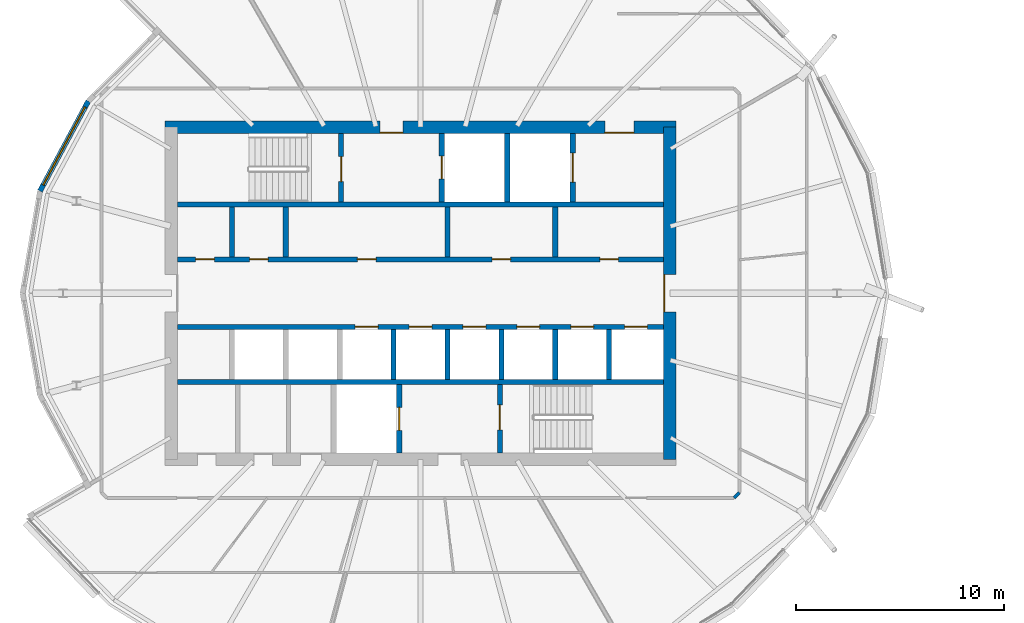
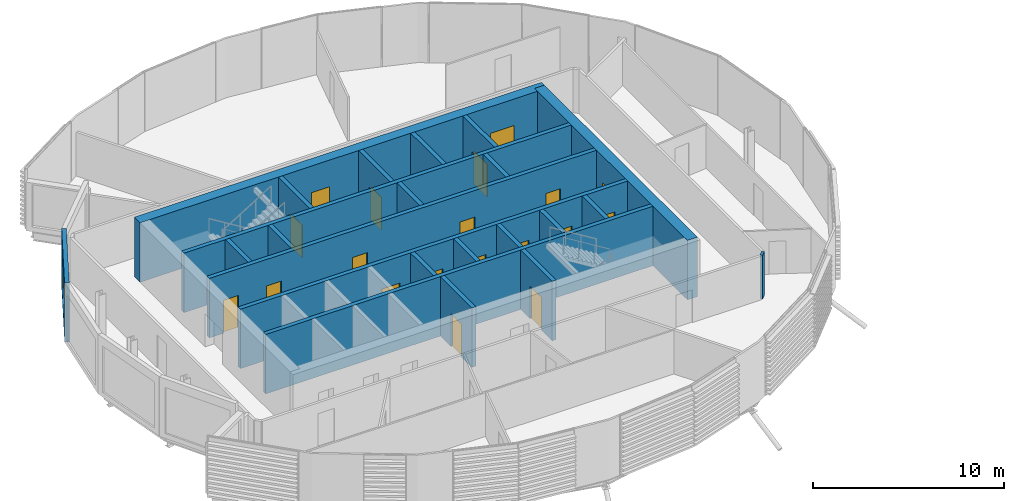
# One storey, part 20 of 37: 23 walls, 19 doors, 1 window, 20 openings.
"""IFC4 building model written with IfcOpenShell, lengths in metres."""

from ifc_helpers import new_model, si_unit, direction, frame, frame_2d, origin, place, context, subcontext, project, spatial, rectangle, extrude, material, layer, layer_set, type_object, element, fill, save


model = new_model("IFC4")

# Units and contexts
model_context = context("Model", 3, precision=1e-05, world=origin(), true_north=direction((0.0, 1.0)))
body_context = subcontext(model_context, "Body", "Model", "MODEL_VIEW")
ifc_project = project(units=[si_unit("LENGTHUNIT", "METRE"), si_unit("AREAUNIT", "SQUARE_METRE"), si_unit("VOLUMEUNIT", "CUBIC_METRE"), si_unit("PLANEANGLEUNIT", "RADIAN"), si_unit("MASSUNIT", "GRAM", prefix="KILO")], contexts=[model_context])

# Site, building, storey
site_placement = place(None, origin())
site = spatial("IfcSite", under=ifc_project, at=site_placement, CompositionType="ELEMENT")
building_placement = place(site_placement, origin())
building = spatial("IfcBuilding", under=site, at=building_placement, Name="Rimbun Link Towers", CompositionType="ELEMENT")
storey_placement = place(building_placement, frame((0.0, 0.0, 162.699951171875)))
storey = spatial("IfcBuildingStorey", under=building, at=storey_placement, Name="L39", CompositionType="ELEMENT", Elevation=162.699951171875)

# Wall, opening, window
ifc_material_1 = material(Name="Dark enamelled glass spandrel on insulated aluminium backpan", Category="aluminium")
ifc_layer_1 = layer(ifc_material_1, 0.25)
ifc_layer_set_1 = layer_set([ifc_layer_1], Name="CS dark enamelled spandrel wall 250")
wall_type_1 = type_object("IfcWallType", Name="CS dark enamelled spandrel wall 250", PredefinedType="STANDARD", material=ifc_layer_set_1)
wall_1_placement = place(storey_placement, frame((-50.07470703125, 4.919189453125, 0.0), z_axis=(0.0, 0.0, 1.0), x_axis=(0.473187986105, 0.880961480319, 0.0)))
wall_1 = element("IfcWall", 1, at=wall_1_placement, inside=storey, type_object=wall_type_1, Name="Crease spandrel wall", PredefinedType="STANDARD", context=body_context, shape_type="SweptSolid", body=[
    extrude(rectangle(XDim=4.9189453125, YDim=0.25, at=frame_2d((2.45947265625, 0.0))), origin(), (0.0, 0.0, 1.0), 3.800048828125),
])
opening_1_placement = place(wall_1_placement, frame((0.33447265625, 0.0, 0.300048828125)))
opening_1 = element("IfcOpeningElement", 2, at=opening_1_placement, cuts=wall_1, Name="Opening WR42H295", PredefinedType="OPENING", context=body_context, shape_type="SweptSolid", body=[
    extrude(rectangle(XDim=4.25, YDim=2.949951171875, at=frame_2d((2.125, 1.47509765625))), frame((0.0, 0.135009765625, 0.0), z_axis=(0.0, -1.0, 0.0), x_axis=(1.0, 0.0, 0.0)), (0.0, 0.0, 1.0), 0.27001953125),
])
ifc_material_2 = material(Name="Aluminium framed fixed window, dark tinted low-e glass", Category="aluminium")
window_type = type_object("IfcWindowType", Name="WR ribbon window 4250X2950", PartitioningType="SINGLE_PANEL", PredefinedType="WINDOW", material=ifc_material_2)
window_placement = place(opening_1_placement, origin())
window = element("IfcWindow", 3, at=window_placement, inside=storey, type_object=window_type, Name="Crease ribbon window", OverallHeight=2.949951171875, OverallWidth=4.25, PartitioningType="SINGLE_PANEL", PredefinedType="WINDOW", context=body_context, shape_type="SweptSolid", body=[
    extrude(rectangle(XDim=4.25, YDim=2.949951171875, at=frame_2d((2.125, 1.47509765625))), frame((0.0, 0.030029296875, 0.0), z_axis=(0.0, -1.0, 0.0), x_axis=(1.0, 0.0, 0.0)), (0.0, 0.0, 1.0), 0.06005859375),
])
fill(opening_1, window)

# Wall, openings, doors
ifc_material_3 = material(Name="Concrete C60/75", Category="concrete")
ifc_layer_2 = layer(ifc_material_3, 0.60009765625)
ifc_layer_set_2 = layer_set([ifc_layer_2], Name="Core shear wall 600")
wall_type_2 = type_object("IfcWallType", Name="Core shear wall 600", PredefinedType="SHEAR", material=ifc_layer_set_2)
wall_2_placement = place(storey_placement, frame((-44.050048828125, 8.0, 0.0), z_axis=(0.0, 0.0, 1.0), x_axis=(1.0, 0.0, 0.0)))
wall_2 = element("IfcWall", 4, at=wall_2_placement, inside=storey, type_object=wall_type_2, Name="L39 T1 core wall N", PredefinedType="SHEAR", context=body_context, shape_type="SweptSolid", body=[
    extrude(rectangle(XDim=24.60009765625, YDim=0.60009765625, at=frame_2d((12.300048828125, 0.0))), origin(), (0.0, 0.0, 1.0), 3.800048828125),
])
opening_2_placement = place(wall_2_placement, frame((10.35009765625, 0.0, 0.0)))
opening_2 = element("IfcOpeningElement", 5, at=opening_2_placement, cuts=wall_2, Name="Opening C1DCF01N", PredefinedType="OPENING", context=body_context, shape_type="SweptSolid", body=[
    extrude(rectangle(XDim=1.10009765625, YDim=2.10009765625, at=frame_2d((0.550048828125, 1.050048828125))), frame((0.0, 0.31005859375, 0.0), z_axis=(0.0, -1.0, 0.0), x_axis=(1.0, 0.0, 0.0)), (0.0, 0.0, 1.0), 0.6201171875),
])
opening_3_placement = place(wall_2_placement, frame((21.175048828125, 0.0, 0.0)))
opening_3 = element("IfcOpeningElement", 6, at=opening_3_placement, cuts=wall_2, Name="Opening C1DSL02N", PredefinedType="OPENING", context=body_context, shape_type="SweptSolid", body=[
    extrude(rectangle(XDim=1.39990234375, YDim=2.10009765625, at=frame_2d((0.699951171875, 1.050048828125))), frame((0.0, 0.31005859375, 0.0), z_axis=(0.0, -1.0, 0.0), x_axis=(1.0, 0.0, 0.0)), (0.0, 0.0, 1.0), 0.6201171875),
])
ifc_material_4 = material(Name="Steel fire door set", Category="steel")
door_type_1 = type_object("IfcDoorType", Name="Core fire door single", OperationType="SINGLE_SWING_LEFT", PredefinedType="DOOR", material=ifc_material_4)
door_1_placement = place(opening_2_placement, origin())
door_1 = element("IfcDoor", 7, at=door_1_placement, inside=storey, type_object=door_type_1, Name="L39 T1 firefighting lobby n door", OperationType="SINGLE_SWING_LEFT", OverallHeight=2.10009765625, OverallWidth=1.10009765625, PredefinedType="DOOR", context=body_context, shape_type="SweptSolid", body=[
    extrude(rectangle(XDim=1.10009765625, YDim=2.10009765625, at=frame_2d((0.550048828125, 1.050048828125))), frame((0.0, -0.25, 0.0), z_axis=(0.0, -1.0, 0.0), x_axis=(1.0, 0.0, 0.0)), (0.0, 0.0, 1.0), 0.050048828125),
])
fill(opening_2, door_1)
ifc_material_5 = material(Name="Steel fire door set", Category="steel")
door_type_2 = type_object("IfcDoorType", Name="Service lobby door double", OperationType="DOUBLE_DOOR_SINGLE_SWING", PredefinedType="DOOR", material=ifc_material_5)
door_2_placement = place(opening_3_placement, origin())
door_2 = element("IfcDoor", 8, at=door_2_placement, inside=storey, type_object=door_type_2, Name="L39 T1 service lobby door", OperationType="DOUBLE_DOOR_SINGLE_SWING", OverallHeight=2.10009765625, OverallWidth=1.39990234375, PredefinedType="DOOR", context=body_context, shape_type="SweptSolid", body=[
    extrude(rectangle(XDim=1.39990234375, YDim=2.10009765625, at=frame_2d((0.699951171875, 1.050048828125))), frame((0.0, -0.25, 0.0), z_axis=(0.0, -1.0, 0.0), x_axis=(1.0, 0.0, 0.0)), (0.0, 0.0, 1.0), 0.050048828125),
])
fill(opening_3, door_2)

# Wall, opening, door
wall_3_placement = place(storey_placement, frame((-19.75, -8.0, 0.0), z_axis=(0.0, 0.0, 1.0), x_axis=(0.0, 1.0, 0.0)))
wall_3 = element("IfcWall", 9, at=wall_3_placement, inside=storey, type_object=wall_type_2, Name="L39 T1 core wall E", PredefinedType="SHEAR", context=body_context, shape_type="SweptSolid", body=[
    extrude(rectangle(XDim=16.0, YDim=0.60009765625, at=frame_2d((8.0, 0.0))), origin(), (0.0, 0.0, 1.0), 3.800048828125),
])
opening_4_placement = place(wall_3_placement, frame((7.10009765625, 0.0, 0.0)))
opening_4 = element("IfcOpeningElement", 10, at=opening_4_placement, cuts=wall_3, Name="Opening C1DCL01E", PredefinedType="OPENING", context=body_context, shape_type="SweptSolid", body=[
    extrude(rectangle(XDim=1.800048828125, YDim=2.10009765625, at=frame_2d((0.89990234375, 1.050048828125))), frame((0.0, 0.31005859375, 0.0), z_axis=(0.0, -1.0, 0.0), x_axis=(1.0, 0.0, 0.0)), (0.0, 0.0, 1.0), 0.6201171875),
])
ifc_material_6 = material(Name="Steel fire door set", Category="steel")
door_type_3 = type_object("IfcDoorType", Name="Core lobby door double", OperationType="DOUBLE_DOOR_SINGLE_SWING", PredefinedType="DOOR", material=ifc_material_6)
door_3_placement = place(opening_4_placement, origin())
door_3 = element("IfcDoor", 11, at=door_3_placement, inside=storey, type_object=door_type_3, Name="L39 T1 lift lobby door", OperationType="DOUBLE_DOOR_SINGLE_SWING", OverallHeight=2.10009765625, OverallWidth=1.800048828125, PredefinedType="DOOR", context=body_context, shape_type="SweptSolid", body=[
    extrude(rectangle(XDim=1.800048828125, YDim=2.10009765625, at=frame_2d((0.89990234375, 1.050048828125))), frame((0.0, 0.2998046875, 0.0), z_axis=(0.0, -1.0, 0.0), x_axis=(1.0, 0.0, 0.0)), (0.0, 0.0, 1.0), 0.050048828125),
])
fill(opening_4, door_3)

# Walls
ifc_material_7 = material(Name="Plasterboard on steel stud, mineral wool", Category="steel")
ifc_layer_3 = layer(ifc_material_7, 0.14990234375)
ifc_layer_set_3 = layer_set([ifc_layer_3], Name="Corridor wall EI 30 150 mm")
wall_type_3 = type_object("IfcWallType", Name="Corridor wall EI 30 150 mm", PredefinedType="PARTITIONING", material=ifc_layer_set_3)
wall_4_placement = place(storey_placement, frame((-16.65625, -9.85498046875, 0.0), z_axis=(0.0, 0.0, 1.0), x_axis=(0.707106781187, 0.707106781187, 0.0)))
element("IfcWall", 12, at=wall_4_placement, inside=storey, type_object=wall_type_3, Name="Corridor wall EI 30 150 mm", PredefinedType="PARTITIONING", context=body_context, shape_type="SweptSolid", body=[
    extrude(rectangle(XDim=0.369384765625, YDim=0.14990234375, at=frame_2d((0.1845703125, 0.0))), origin(), (0.0, 0.0, 1.0), 2.7890625),
])
ifc_material_8 = material(Name="Concrete C60/75", Category="concrete")
ifc_layer_4 = layer(ifc_material_8, 0.25)
ifc_layer_set_4 = layer_set([ifc_layer_4], Name="Shaft wall 250")
wall_type_4 = type_object("IfcWallType", Name="Shaft wall 250", PredefinedType="SHEAR", material=ifc_layer_set_4)
for number, where, z_axis, x_axis, name in (
    (13, (-43.449951171875, 4.27490234375, 0.0), (0.0, 0.0, 1.0), (1.0, 0.0, 0.0), "L39 T1 core wall BN"),
    (14, (-43.449951171875, -4.27490234375, 0.0), (0.0, 0.0, 1.0), (1.0, 0.0, 0.0), "L39 T1 core wall BS"),
):
    element("IfcWall", number, at=place(storey_placement, frame(where, z_axis=z_axis, x_axis=x_axis)), inside=storey, type_object=wall_type_4, Name=name, PredefinedType="SHEAR", context=body_context, shape_type="SweptSolid", body=[
        extrude(rectangle(XDim=23.39990234375, YDim=0.25, at=frame_2d((11.699951171875, 0.0))), origin(), (0.0, 0.0, 1.0), 3.800048828125),
    ])

# Wall, openings, doors
wall_5_placement = place(storey_placement, frame((-43.449951171875, 1.625, 0.0), z_axis=(0.0, 0.0, 1.0), x_axis=(1.0, 0.0, 0.0)))
wall_5 = element("IfcWall", 15, at=wall_5_placement, inside=storey, type_object=wall_type_4, Name="L39 T1 core wall FN", PredefinedType="SHEAR", context=body_context, shape_type="SweptSolid", body=[
    extrude(rectangle(XDim=23.39990234375, YDim=0.25, at=frame_2d((11.699951171875, 0.0))), origin(), (0.0, 0.0, 1.0), 3.800048828125),
])
opening_5_placement = place(wall_5_placement, frame((0.872314453125, 0.0, 0.0)))
opening_5 = element("IfcOpeningElement", 16, at=opening_5_placement, cuts=wall_5, Name="Opening C1DRS01FN", PredefinedType="OPENING", context=body_context, shape_type="SweptSolid", body=[
    extrude(rectangle(XDim=0.89990234375, YDim=2.10009765625, at=frame_2d((0.449951171875, 1.050048828125))), frame((0.0, 0.135009765625, 0.0), z_axis=(0.0, -1.0, 0.0), x_axis=(1.0, 0.0, 0.0)), (0.0, 0.0, 1.0), 0.27001953125),
])
opening_6_placement = place(wall_5_placement, frame((3.466796875, 0.0, 0.0)))
opening_6 = element("IfcOpeningElement", 17, at=opening_6_placement, cuts=wall_5, Name="Opening C1DRS02FN", PredefinedType="OPENING", context=body_context, shape_type="SweptSolid", body=[
    extrude(rectangle(XDim=0.89990234375, YDim=2.10009765625, at=frame_2d((0.449951171875, 1.050048828125))), frame((0.0, 0.135009765625, 0.0), z_axis=(0.0, -1.0, 0.0), x_axis=(1.0, 0.0, 0.0)), (0.0, 0.0, 1.0), 0.27001953125),
])
opening_7_placement = place(wall_5_placement, frame((8.655517578125, 0.0, 0.0)))
opening_7 = element("IfcOpeningElement", 18, at=opening_7_placement, cuts=wall_5, Name="Opening C1DRS03FN", PredefinedType="OPENING", context=body_context, shape_type="SweptSolid", body=[
    extrude(rectangle(XDim=0.89990234375, YDim=2.10009765625, at=frame_2d((0.449951171875, 1.050048828125))), frame((0.0, 0.135009765625, 0.0), z_axis=(0.0, -1.0, 0.0), x_axis=(1.0, 0.0, 0.0)), (0.0, 0.0, 1.0), 0.27001953125),
])
opening_8_placement = place(wall_5_placement, frame((15.1416015625, 0.0, 0.0)))
opening_8 = element("IfcOpeningElement", 19, at=opening_8_placement, cuts=wall_5, Name="Opening C1DRS04FN", PredefinedType="OPENING", context=body_context, shape_type="SweptSolid", body=[
    extrude(rectangle(XDim=0.89990234375, YDim=2.10009765625, at=frame_2d((0.449951171875, 1.050048828125))), frame((0.0, 0.135009765625, 0.0), z_axis=(0.0, -1.0, 0.0), x_axis=(1.0, 0.0, 0.0)), (0.0, 0.0, 1.0), 0.27001953125),
])
opening_9_placement = place(wall_5_placement, frame((20.33056640625, 0.0, 0.0)))
opening_9 = element("IfcOpeningElement", 20, at=opening_9_placement, cuts=wall_5, Name="Opening C1DRS05FN", PredefinedType="OPENING", context=body_context, shape_type="SweptSolid", body=[
    extrude(rectangle(XDim=0.89990234375, YDim=2.10009765625, at=frame_2d((0.449951171875, 1.050048828125))), frame((0.0, 0.135009765625, 0.0), z_axis=(0.0, -1.0, 0.0), x_axis=(1.0, 0.0, 0.0)), (0.0, 0.0, 1.0), 0.27001953125),
])
ifc_material_9 = material(Name="Steel fire door set", Category="steel")
door_type_4 = type_object("IfcDoorType", Name="Core riser door", OperationType="SINGLE_SWING_LEFT", PredefinedType="DOOR", material=ifc_material_9)
door_4_placement = place(opening_5_placement, origin())
door_4 = element("IfcDoor", 21, at=door_4_placement, inside=storey, type_object=door_type_4, Name="L39 T1 pantry door", OperationType="SINGLE_SWING_LEFT", OverallHeight=2.10009765625, OverallWidth=0.89990234375, PredefinedType="DOOR", context=body_context, shape_type="SweptSolid", body=[
    extrude(rectangle(XDim=0.89990234375, YDim=2.10009765625, at=frame_2d((0.449951171875, 1.050048828125))), frame((0.0, 0.02490234375, 0.0), z_axis=(0.0, -1.0, 0.0), x_axis=(1.0, 0.0, 0.0)), (0.0, 0.0, 1.0), 0.050048828125),
])
fill(opening_5, door_4)
door_5_placement = place(opening_6_placement, origin())
door_5 = element("IfcDoor", 22, at=door_5_placement, inside=storey, type_object=door_type_4, Name="L39 T1 stationery store door", OperationType="SINGLE_SWING_LEFT", OverallHeight=2.10009765625, OverallWidth=0.89990234375, PredefinedType="DOOR", context=body_context, shape_type="SweptSolid", body=[
    extrude(rectangle(XDim=0.89990234375, YDim=2.10009765625, at=frame_2d((0.449951171875, 1.050048828125))), frame((0.0, 0.02490234375, 0.0), z_axis=(0.0, -1.0, 0.0), x_axis=(1.0, 0.0, 0.0)), (0.0, 0.0, 1.0), 0.050048828125),
])
fill(opening_6, door_5)
door_6_placement = place(opening_7_placement, origin())
door_6 = element("IfcDoor", 23, at=door_6_placement, inside=storey, type_object=door_type_4, Name="L39 T1 training store door", OperationType="SINGLE_SWING_LEFT", OverallHeight=2.10009765625, OverallWidth=0.89990234375, PredefinedType="DOOR", context=body_context, shape_type="SweptSolid", body=[
    extrude(rectangle(XDim=0.89990234375, YDim=2.10009765625, at=frame_2d((0.449951171875, 1.050048828125))), frame((0.0, 0.02490234375, 0.0), z_axis=(0.0, -1.0, 0.0), x_axis=(1.0, 0.0, 0.0)), (0.0, 0.0, 1.0), 0.050048828125),
])
fill(opening_7, door_6)
door_7_placement = place(opening_8_placement, origin())
door_7 = element("IfcDoor", 24, at=door_7_placement, inside=storey, type_object=door_type_4, Name="L39 T1 print room door", OperationType="SINGLE_SWING_RIGHT", OverallHeight=2.10009765625, OverallWidth=0.89990234375, PredefinedType="DOOR", context=body_context, shape_type="SweptSolid", body=[
    extrude(rectangle(XDim=0.89990234375, YDim=2.10009765625, at=frame_2d((0.449951171875, 1.050048828125))), frame((0.0, 0.02490234375, 0.0), z_axis=(0.0, -1.0, 0.0), x_axis=(1.0, 0.0, 0.0)), (0.0, 0.0, 1.0), 0.050048828125),
])
fill(opening_8, door_7)
door_8_placement = place(opening_9_placement, origin())
door_8 = element("IfcDoor", 25, at=door_8_placement, inside=storey, type_object=door_type_4, Name="L39 T1 staff lounge door", OperationType="SINGLE_SWING_LEFT", OverallHeight=2.10009765625, OverallWidth=0.89990234375, PredefinedType="DOOR", context=body_context, shape_type="SweptSolid", body=[
    extrude(rectangle(XDim=0.89990234375, YDim=2.10009765625, at=frame_2d((0.449951171875, 1.050048828125))), frame((0.0, 0.02490234375, 0.0), z_axis=(0.0, -1.0, 0.0), x_axis=(1.0, 0.0, 0.0)), (0.0, 0.0, 1.0), 0.050048828125),
])
fill(opening_9, door_8)

wall_6_placement = place(storey_placement, frame((-43.449951171875, -1.625, 0.0), z_axis=(0.0, 0.0, 1.0), x_axis=(1.0, 0.0, 0.0)))
wall_6 = element("IfcWall", 26, at=wall_6_placement, inside=storey, type_object=wall_type_4, Name="L39 T1 core wall FS", PredefinedType="SHEAR", context=body_context, shape_type="SweptSolid", body=[
    extrude(rectangle(XDim=23.39990234375, YDim=0.25, at=frame_2d((11.699951171875, 0.0))), origin(), (0.0, 0.0, 1.0), 3.800048828125),
])
opening_10_placement = place(wall_6_placement, frame((8.5556640625, 0.0, 0.0)))
opening_10 = element("IfcOpeningElement", 27, at=opening_10_placement, cuts=wall_6, Name="Opening LD-T1-HR1", PredefinedType="OPENING", context=body_context, shape_type="SweptSolid", body=[
    extrude(rectangle(XDim=1.10009765625, YDim=2.10009765625, at=frame_2d((0.550048828125, 1.050048828125))), frame((0.0, 0.135009765625, 0.0), z_axis=(0.0, -1.0, 0.0), x_axis=(1.0, 0.0, 0.0)), (0.0, 0.0, 1.0), 0.27001953125),
])
opening_11_placement = place(wall_6_placement, frame((11.14990234375, 0.0, 0.0)))
opening_11 = element("IfcOpeningElement", 28, at=opening_11_placement, cuts=wall_6, Name="Opening LD-T1-HR2", PredefinedType="OPENING", context=body_context, shape_type="SweptSolid", body=[
    extrude(rectangle(XDim=1.10009765625, YDim=2.10009765625, at=frame_2d((0.550048828125, 1.050048828125))), frame((0.0, 0.135009765625, 0.0), z_axis=(0.0, -1.0, 0.0), x_axis=(1.0, 0.0, 0.0)), (0.0, 0.0, 1.0), 0.27001953125),
])
opening_12_placement = place(wall_6_placement, frame((13.744384765625, 0.0, 0.0)))
opening_12 = element("IfcOpeningElement", 29, at=opening_12_placement, cuts=wall_6, Name="Opening LD-T1-HR3", PredefinedType="OPENING", context=body_context, shape_type="SweptSolid", body=[
    extrude(rectangle(XDim=1.10009765625, YDim=2.10009765625, at=frame_2d((0.550048828125, 1.050048828125))), frame((0.0, 0.135009765625, 0.0), z_axis=(0.0, -1.0, 0.0), x_axis=(1.0, 0.0, 0.0)), (0.0, 0.0, 1.0), 0.27001953125),
])
opening_13_placement = place(wall_6_placement, frame((16.3388671875, 0.0, 0.0)))
opening_13 = element("IfcOpeningElement", 30, at=opening_13_placement, cuts=wall_6, Name="Opening LD-T1-HR4", PredefinedType="OPENING", context=body_context, shape_type="SweptSolid", body=[
    extrude(rectangle(XDim=1.10009765625, YDim=2.10009765625, at=frame_2d((0.550048828125, 1.050048828125))), frame((0.0, 0.135009765625, 0.0), z_axis=(0.0, -1.0, 0.0), x_axis=(1.0, 0.0, 0.0)), (0.0, 0.0, 1.0), 0.27001953125),
])
opening_14_placement = place(wall_6_placement, frame((18.933349609375, 0.0, 0.0)))
opening_14 = element("IfcOpeningElement", 31, at=opening_14_placement, cuts=wall_6, Name="Opening LD-T1-HR5", PredefinedType="OPENING", context=body_context, shape_type="SweptSolid", body=[
    extrude(rectangle(XDim=1.10009765625, YDim=2.10009765625, at=frame_2d((0.550048828125, 1.050048828125))), frame((0.0, 0.135009765625, 0.0), z_axis=(0.0, -1.0, 0.0), x_axis=(1.0, 0.0, 0.0)), (0.0, 0.0, 1.0), 0.27001953125),
])
opening_15_placement = place(wall_6_placement, frame((21.52783203125, 0.0, 0.0)))
opening_15 = element("IfcOpeningElement", 32, at=opening_15_placement, cuts=wall_6, Name="Opening LD-T1-HR6", PredefinedType="OPENING", context=body_context, shape_type="SweptSolid", body=[
    extrude(rectangle(XDim=1.10009765625, YDim=2.10009765625, at=frame_2d((0.550048828125, 1.050048828125))), frame((0.0, 0.135009765625, 0.0), z_axis=(0.0, -1.0, 0.0), x_axis=(1.0, 0.0, 0.0)), (0.0, 0.0, 1.0), 0.27001953125),
])
ifc_material_10 = material(Name="Stainless steel grade 316", Category="steel")
door_type_5 = type_object("IfcDoorType", Name="Lift landing door", OperationType="DOUBLE_DOOR_SLIDING", PredefinedType="DOOR", material=ifc_material_10)
door_9_placement = place(opening_10_placement, origin())
door_9 = element("IfcDoor", 33, at=door_9_placement, inside=storey, type_object=door_type_5, Name="L39 T1 lift HR1 landing door", OperationType="DOUBLE_DOOR_SLIDING", OverallHeight=2.10009765625, OverallWidth=1.10009765625, PredefinedType="DOOR", context=body_context, shape_type="SweptSolid", body=[
    extrude(rectangle(XDim=1.10009765625, YDim=2.10009765625, at=frame_2d((0.550048828125, 1.050048828125))), frame((0.0, 0.02490234375, 0.0), z_axis=(0.0, -1.0, 0.0), x_axis=(1.0, 0.0, 0.0)), (0.0, 0.0, 1.0), 0.050048828125),
])
fill(opening_10, door_9)
door_10_placement = place(opening_11_placement, origin())
door_10 = element("IfcDoor", 34, at=door_10_placement, inside=storey, type_object=door_type_5, Name="L39 T1 lift HR2 landing door", OperationType="DOUBLE_DOOR_SLIDING", OverallHeight=2.10009765625, OverallWidth=1.10009765625, PredefinedType="DOOR", context=body_context, shape_type="SweptSolid", body=[
    extrude(rectangle(XDim=1.10009765625, YDim=2.10009765625, at=frame_2d((0.550048828125, 1.050048828125))), frame((0.0, 0.02490234375, 0.0), z_axis=(0.0, -1.0, 0.0), x_axis=(1.0, 0.0, 0.0)), (0.0, 0.0, 1.0), 0.050048828125),
])
fill(opening_11, door_10)
door_11_placement = place(opening_12_placement, origin())
door_11 = element("IfcDoor", 35, at=door_11_placement, inside=storey, type_object=door_type_5, Name="L39 T1 lift HR3 landing door", OperationType="DOUBLE_DOOR_SLIDING", OverallHeight=2.10009765625, OverallWidth=1.10009765625, PredefinedType="DOOR", context=body_context, shape_type="SweptSolid", body=[
    extrude(rectangle(XDim=1.10009765625, YDim=2.10009765625, at=frame_2d((0.550048828125, 1.050048828125))), frame((0.0, 0.02490234375, 0.0), z_axis=(0.0, -1.0, 0.0), x_axis=(1.0, 0.0, 0.0)), (0.0, 0.0, 1.0), 0.050048828125),
])
fill(opening_12, door_11)
door_12_placement = place(opening_13_placement, origin())
door_12 = element("IfcDoor", 36, at=door_12_placement, inside=storey, type_object=door_type_5, Name="L39 T1 lift HR4 landing door", OperationType="DOUBLE_DOOR_SLIDING", OverallHeight=2.10009765625, OverallWidth=1.10009765625, PredefinedType="DOOR", context=body_context, shape_type="SweptSolid", body=[
    extrude(rectangle(XDim=1.10009765625, YDim=2.10009765625, at=frame_2d((0.550048828125, 1.050048828125))), frame((0.0, 0.02490234375, 0.0), z_axis=(0.0, -1.0, 0.0), x_axis=(1.0, 0.0, 0.0)), (0.0, 0.0, 1.0), 0.050048828125),
])
fill(opening_13, door_12)
door_13_placement = place(opening_14_placement, origin())
door_13 = element("IfcDoor", 37, at=door_13_placement, inside=storey, type_object=door_type_5, Name="L39 T1 lift HR5 landing door", OperationType="DOUBLE_DOOR_SLIDING", OverallHeight=2.10009765625, OverallWidth=1.10009765625, PredefinedType="DOOR", context=body_context, shape_type="SweptSolid", body=[
    extrude(rectangle(XDim=1.10009765625, YDim=2.10009765625, at=frame_2d((0.550048828125, 1.050048828125))), frame((0.0, 0.02490234375, 0.0), z_axis=(0.0, -1.0, 0.0), x_axis=(1.0, 0.0, 0.0)), (0.0, 0.0, 1.0), 0.050048828125),
])
fill(opening_14, door_13)
door_14_placement = place(opening_15_placement, origin())
door_14 = element("IfcDoor", 38, at=door_14_placement, inside=storey, type_object=door_type_5, Name="L39 T1 lift HR6 landing door", OperationType="DOUBLE_DOOR_SLIDING", OverallHeight=2.10009765625, OverallWidth=1.10009765625, PredefinedType="DOOR", context=body_context, shape_type="SweptSolid", body=[
    extrude(rectangle(XDim=1.10009765625, YDim=2.10009765625, at=frame_2d((0.550048828125, 1.050048828125))), frame((0.0, 0.02490234375, 0.0), z_axis=(0.0, -1.0, 0.0), x_axis=(1.0, 0.0, 0.0)), (0.0, 0.0, 1.0), 0.050048828125),
])
fill(opening_15, door_14)

# Walls
for number, where, z_axis, x_axis, name in (
    (39, (-40.83056640625, 1.75, 0.0), (0.0, 0.0, 1.0), (0.0, 1.0, 0.0), "L39 T1 core wall DN0"),
    (40, (-38.236083984375, 1.75, 0.0), (0.0, 0.0, 1.0), (0.0, 1.0, 0.0), "L39 T1 core wall DN1"),
    (41, (-30.452880859375, 1.75, 0.0), (0.0, 0.0, 1.0), (0.0, 1.0, 0.0), "L39 T1 core wall DN4"),
    (42, (-25.263916015625, 1.75, 0.0), (0.0, 0.0, 1.0), (0.0, 1.0, 0.0), "L39 T1 core wall DN6"),
    (43, (-33.047119140625, -4.14990234375, 0.0), (0.0, 0.0, 1.0), (0.0, 1.0, 0.0), "L39 T1 core wall DS3"),
    (44, (-30.452880859375, -4.14990234375, 0.0), (0.0, 0.0, 1.0), (0.0, 1.0, 0.0), "L39 T1 core wall DS4"),
    (45, (-27.8583984375, -4.14990234375, 0.0), (0.0, 0.0, 1.0), (0.0, 1.0, 0.0), "L39 T1 core wall DS5"),
    (46, (-25.263916015625, -4.14990234375, 0.0), (0.0, 0.0, 1.0), (0.0, 1.0, 0.0), "L39 T1 core wall DS6"),
    (47, (-22.66943359375, -4.14990234375, 0.0), (0.0, 0.0, 1.0), (0.0, 1.0, 0.0), "L39 T1 core wall DS7"),
):
    element("IfcWall", number, at=place(storey_placement, frame(where, z_axis=z_axis, x_axis=x_axis)), inside=storey, type_object=wall_type_4, Name=name, PredefinedType="SHEAR", context=body_context, shape_type="SweptSolid", body=[
        extrude(rectangle(XDim=2.39990234375, YDim=0.25, at=frame_2d((1.199951171875, 0.0))), origin(), (0.0, 0.0, 1.0), 3.800048828125),
    ])

# Wall, opening, door
wall_7_placement = place(storey_placement, frame((-35.574951171875, 4.39990234375, 0.0), z_axis=(0.0, 0.0, 1.0), x_axis=(0.0, 1.0, 0.0)))
wall_7 = element("IfcWall", 48, at=wall_7_placement, inside=storey, type_object=wall_type_4, Name="L39 T1 core wall A1", PredefinedType="SHEAR", context=body_context, shape_type="SweptSolid", body=[
    extrude(rectangle(XDim=3.300048828125, YDim=0.25, at=frame_2d((1.64990234375, 0.0))), origin(), (0.0, 0.0, 1.0), 3.800048828125),
])
opening_16_placement = place(wall_7_placement, frame((0.97509765625, 0.0, 0.0)))
opening_16 = element("IfcOpeningElement", 49, at=opening_16_placement, cuts=wall_7, Name="Opening C1DST01A1", PredefinedType="OPENING", context=body_context, shape_type="SweptSolid", body=[
    extrude(rectangle(XDim=1.199951171875, YDim=2.10009765625, at=frame_2d((0.60009765625, 1.050048828125))), frame((0.0, 0.135009765625, 0.0), z_axis=(0.0, -1.0, 0.0), x_axis=(1.0, 0.0, 0.0)), (0.0, 0.0, 1.0), 0.27001953125),
])
ifc_material_11 = material(Name="Steel fire door set", Category="steel")
door_type_6 = type_object("IfcDoorType", Name="Stair door", OperationType="SINGLE_SWING_LEFT", PredefinedType="DOOR", material=ifc_material_11)
door_15_placement = place(opening_16_placement, origin())
door_15 = element("IfcDoor", 50, at=door_15_placement, inside=storey, type_object=door_type_6, Name="L39 T1 stair a door", OperationType="SINGLE_SWING_RIGHT", OverallHeight=2.10009765625, OverallWidth=1.199951171875, PredefinedType="DOOR", context=body_context, shape_type="SweptSolid", body=[
    extrude(rectangle(XDim=1.199951171875, YDim=2.10009765625, at=frame_2d((0.60009765625, 1.050048828125))), frame((0.0, 0.02490234375, 0.0), z_axis=(0.0, -1.0, 0.0), x_axis=(1.0, 0.0, 0.0)), (0.0, 0.0, 1.0), 0.050048828125),
])
fill(opening_16, door_15)

wall_8_placement = place(storey_placement, frame((-30.72509765625, 4.39990234375, 0.0), z_axis=(0.0, 0.0, 1.0), x_axis=(0.0, 1.0, 0.0)))
wall_8 = element("IfcWall", 51, at=wall_8_placement, inside=storey, type_object=wall_type_4, Name="L39 T1 core wall A2", PredefinedType="SHEAR", context=body_context, shape_type="SweptSolid", body=[
    extrude(rectangle(XDim=3.300048828125, YDim=0.25, at=frame_2d((1.64990234375, 0.0))), origin(), (0.0, 0.0, 1.0), 3.800048828125),
])
opening_17_placement = place(wall_8_placement, frame((1.10009765625, 0.0, 0.0)))
opening_17 = element("IfcOpeningElement", 52, at=opening_17_placement, cuts=wall_8, Name="Opening LD-T1-FF1", PredefinedType="OPENING", context=body_context, shape_type="SweptSolid", body=[
    extrude(rectangle(XDim=1.10009765625, YDim=2.10009765625, at=frame_2d((0.550048828125, 1.050048828125))), frame((0.0, 0.135009765625, 0.0), z_axis=(0.0, -1.0, 0.0), x_axis=(1.0, 0.0, 0.0)), (0.0, 0.0, 1.0), 0.27001953125),
])
door_16_placement = place(opening_17_placement, origin())
door_16 = element("IfcDoor", 53, at=door_16_placement, inside=storey, type_object=door_type_5, Name="L39 T1 lift FF1 landing door", OperationType="DOUBLE_DOOR_SLIDING", OverallHeight=2.10009765625, OverallWidth=1.10009765625, PredefinedType="DOOR", context=body_context, shape_type="SweptSolid", body=[
    extrude(rectangle(XDim=1.10009765625, YDim=2.10009765625, at=frame_2d((0.550048828125, 1.050048828125))), frame((0.0, 0.02490234375, 0.0), z_axis=(0.0, -1.0, 0.0), x_axis=(1.0, 0.0, 0.0)), (0.0, 0.0, 1.0), 0.050048828125),
])
fill(opening_17, door_16)

# Wall
wall_9_placement = place(storey_placement, frame((-27.574951171875, 4.39990234375, 0.0), z_axis=(0.0, 0.0, 1.0), x_axis=(0.0, 1.0, 0.0)))
element("IfcWall", 54, at=wall_9_placement, inside=storey, type_object=wall_type_4, Name="L39 T1 core wall A3", PredefinedType="SHEAR", context=body_context, shape_type="SweptSolid", body=[
    extrude(rectangle(XDim=3.300048828125, YDim=0.25, at=frame_2d((1.64990234375, 0.0))), origin(), (0.0, 0.0, 1.0), 3.800048828125),
])

# Wall, opening, door
wall_10_placement = place(storey_placement, frame((-24.425048828125, 4.39990234375, 0.0), z_axis=(0.0, 0.0, 1.0), x_axis=(0.0, 1.0, 0.0)))
wall_10 = element("IfcWall", 55, at=wall_10_placement, inside=storey, type_object=wall_type_4, Name="L39 T1 core wall A4", PredefinedType="SHEAR", context=body_context, shape_type="SweptSolid", body=[
    extrude(rectangle(XDim=3.300048828125, YDim=0.25, at=frame_2d((1.64990234375, 0.0))), origin(), (0.0, 0.0, 1.0), 3.800048828125),
])
opening_18_placement = place(wall_10_placement, frame((0.949951171875, 0.0, 0.0)))
opening_18 = element("IfcOpeningElement", 56, at=opening_18_placement, cuts=wall_10, Name="Opening LD-T1-GL1", PredefinedType="OPENING", context=body_context, shape_type="SweptSolid", body=[
    extrude(rectangle(XDim=1.39990234375, YDim=2.10009765625, at=frame_2d((0.699951171875, 1.050048828125))), frame((0.0, 0.135009765625, 0.0), z_axis=(0.0, -1.0, 0.0), x_axis=(1.0, 0.0, 0.0)), (0.0, 0.0, 1.0), 0.27001953125),
])
ifc_material_12 = material(Name="Stainless steel grade 316", Category="steel")
door_type_7 = type_object("IfcDoorType", Name="Goods lift landing door", OperationType="DOUBLE_DOOR_SLIDING", PredefinedType="DOOR", material=ifc_material_12)
door_17_placement = place(opening_18_placement, origin())
door_17 = element("IfcDoor", 57, at=door_17_placement, inside=storey, type_object=door_type_7, Name="L39 T1 lift GL1 landing door", OperationType="DOUBLE_DOOR_SLIDING", OverallHeight=2.10009765625, OverallWidth=1.39990234375, PredefinedType="DOOR", context=body_context, shape_type="SweptSolid", body=[
    extrude(rectangle(XDim=1.39990234375, YDim=2.10009765625, at=frame_2d((0.699951171875, 1.050048828125))), frame((0.0, 0.02490234375, 0.0), z_axis=(0.0, -1.0, 0.0), x_axis=(1.0, 0.0, 0.0)), (0.0, 0.0, 1.0), 0.050048828125),
])
fill(opening_18, door_17)

wall_11_placement = place(storey_placement, frame((-27.925048828125, -4.39990234375, 0.0), z_axis=(0.0, 0.0, 1.0), x_axis=(0.0, -1.0, 0.0)))
wall_11 = element("IfcWall", 58, at=wall_11_placement, inside=storey, type_object=wall_type_4, Name="L39 T1 core wall B1", PredefinedType="SHEAR", context=body_context, shape_type="SweptSolid", body=[
    extrude(rectangle(XDim=3.300048828125, YDim=0.25, at=frame_2d((1.64990234375, 0.0))), origin(), (0.0, 0.0, 1.0), 3.800048828125),
])
opening_19_placement = place(wall_11_placement, frame((0.97509765625, 0.0, 0.0)))
opening_19 = element("IfcOpeningElement", 59, at=opening_19_placement, cuts=wall_11, Name="Opening C1DST01B1", PredefinedType="OPENING", context=body_context, shape_type="SweptSolid", body=[
    extrude(rectangle(XDim=1.199951171875, YDim=2.10009765625, at=frame_2d((0.60009765625, 1.050048828125))), frame((0.0, 0.135009765625, 0.0), z_axis=(0.0, -1.0, 0.0), x_axis=(1.0, 0.0, 0.0)), (0.0, 0.0, 1.0), 0.27001953125),
])
door_18_placement = place(opening_19_placement, origin())
door_18 = element("IfcDoor", 60, at=door_18_placement, inside=storey, type_object=door_type_6, Name="L39 T1 stair b door", OperationType="SINGLE_SWING_RIGHT", OverallHeight=2.10009765625, OverallWidth=1.199951171875, PredefinedType="DOOR", context=body_context, shape_type="SweptSolid", body=[
    extrude(rectangle(XDim=1.199951171875, YDim=2.10009765625, at=frame_2d((0.60009765625, 1.050048828125))), frame((0.0, 0.02490234375, 0.0), z_axis=(0.0, -1.0, 0.0), x_axis=(1.0, 0.0, 0.0)), (0.0, 0.0, 1.0), 0.050048828125),
])
fill(opening_19, door_18)

wall_12_placement = place(storey_placement, frame((-32.77490234375, -4.39990234375, 0.0), z_axis=(0.0, 0.0, 1.0), x_axis=(0.0, -1.0, 0.0)))
wall_12 = element("IfcWall", 61, at=wall_12_placement, inside=storey, type_object=wall_type_4, Name="L39 T1 core wall B2", PredefinedType="SHEAR", context=body_context, shape_type="SweptSolid", body=[
    extrude(rectangle(XDim=3.300048828125, YDim=0.25, at=frame_2d((1.64990234375, 0.0))), origin(), (0.0, 0.0, 1.0), 3.800048828125),
])
opening_20_placement = place(wall_12_placement, frame((1.10009765625, 0.0, 0.0)))
opening_20 = element("IfcOpeningElement", 62, at=opening_20_placement, cuts=wall_12, Name="Opening LD-T1-FF2", PredefinedType="OPENING", context=body_context, shape_type="SweptSolid", body=[
    extrude(rectangle(XDim=1.10009765625, YDim=2.10009765625, at=frame_2d((0.550048828125, 1.050048828125))), frame((0.0, 0.135009765625, 0.0), z_axis=(0.0, -1.0, 0.0), x_axis=(1.0, 0.0, 0.0)), (0.0, 0.0, 1.0), 0.27001953125),
])
door_19_placement = place(opening_20_placement, origin())
door_19 = element("IfcDoor", 63, at=door_19_placement, inside=storey, type_object=door_type_5, Name="L39 T1 lift FF2 landing door", OperationType="DOUBLE_DOOR_SLIDING", OverallHeight=2.10009765625, OverallWidth=1.10009765625, PredefinedType="DOOR", context=body_context, shape_type="SweptSolid", body=[
    extrude(rectangle(XDim=1.10009765625, YDim=2.10009765625, at=frame_2d((0.550048828125, 1.050048828125))), frame((0.0, 0.02490234375, 0.0), z_axis=(0.0, -1.0, 0.0), x_axis=(1.0, 0.0, 0.0)), (0.0, 0.0, 1.0), 0.050048828125),
])
fill(opening_20, door_19)

save(model, "model.ifc")
